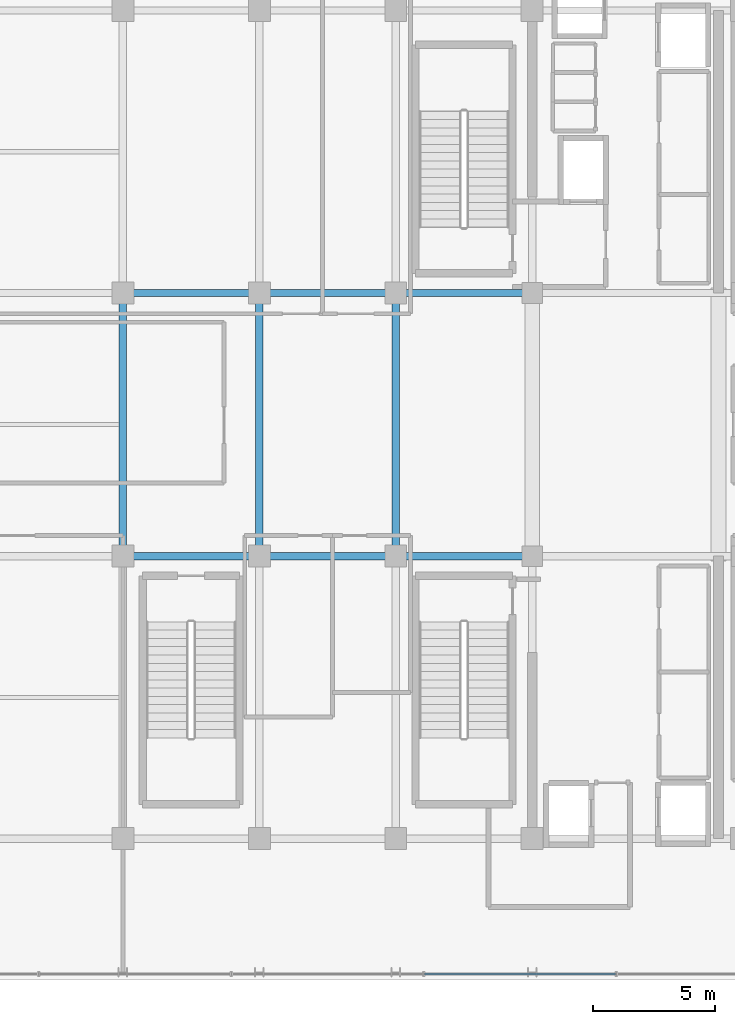
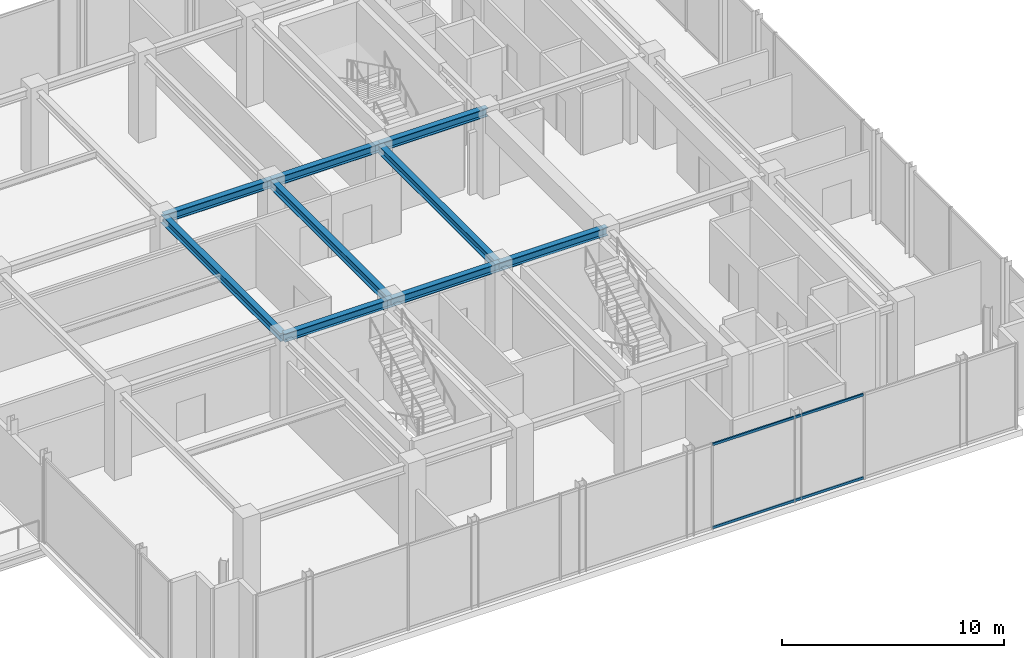
# One storey, part 10 of 28: 9 beams, 2 members, 1 element without a shape of its own.
"""IFC4 building model written with IfcOpenShell, lengths in metres."""

import ifcopenshell
import ifcopenshell.guid

model = None  # the IFC model being written
_history = None  # IfcOwnerHistory: only IFC2X3 demands one
_inside = {}  # id of a spatial element -> (the spatial element, [elements in it])
_under = {}  # id of a project, library or spatial element -> (it, [spatial elements below it])
_declared = {}  # id of a project -> (the project, [libraries it declares])
_typed = {}  # id of a type object -> (the type object, [elements of that type])
_made_of = {}  # id of a material, layer set ... -> (it, [elements and type objects made of it])


def new_model(schema):
    """Start an empty IFC model of exactly this schema.

    Asked for "IFC4X3", IfcOpenShell would pick the latest addendum, in which some entities
    have other attributes; the version numbers below select the first issue.
    IFC2X3 requires an IfcOwnerHistory on every rooted entity: one is made here for all.
    """
    global model, _history
    if schema == "IFC4X3":
        model = ifcopenshell.file(schema_version=(4, 3, 0, 0))
    else:
        model = ifcopenshell.file(schema=schema)
    _inside.clear()
    _under.clear()
    _declared.clear()
    _typed.clear()
    _made_of.clear()
    _history = None
    if model.schema == "IFC2X3":
        org = make("IfcOrganization", Name="unknown")
        user = make(
            "IfcPersonAndOrganization",
            ThePerson=make("IfcPerson", FamilyName="unknown"),
            TheOrganization=org,
        )
        app = make(
            "IfcApplication",
            ApplicationDeveloper=org,
            Version="unknown",
            ApplicationFullName="unknown",
            ApplicationIdentifier="unknown",
        )
        _history = make(
            "IfcOwnerHistory",
            OwningUser=user,
            OwningApplication=app,
            ChangeAction="ADDED",
            CreationDate=0,
        )
    return model


def make(cls, **values):
    """One entity of the class cls with the attributes given. An attribute that is None is left unset."""
    return model.create_entity(
        cls, **{name: value for name, value in values.items() if value is not None}
    )


def rooted(cls, **values):
    """An entity with a GlobalId (a new one), such as an element, a storey or a relation."""
    return make(cls, GlobalId=ifcopenshell.guid.new(), OwnerHistory=_history, **values)


def si_unit(unit_type, name, prefix=None):
    """IfcSIUnit, for example si_unit("LENGTHUNIT", "METRE", prefix="MILLI")."""
    return make("IfcSIUnit", UnitType=unit_type, Prefix=prefix, Name=name)


def assignment(units):
    """IfcUnitAssignment: the units of a project."""
    return None if units is None else make("IfcUnitAssignment", Units=units)


def point(xyz):
    """IfcCartesianPoint."""
    return None if xyz is None else make("IfcCartesianPoint", Coordinates=xyz)


def direction(xyz):
    """IfcDirection."""
    return None if xyz is None else make("IfcDirection", DirectionRatios=xyz)


def frame(location, z_axis=None, x_axis=None):
    """IfcAxis2Placement3D, a coordinate frame: its origin and axes. An axis left out is left unset."""
    return make(
        "IfcAxis2Placement3D",
        Location=point(location),
        Axis=direction(z_axis),
        RefDirection=direction(x_axis),
    )


def frame_2d(location, x_axis=None):
    """IfcAxis2Placement2D, a coordinate frame in the plane: its origin and x axis."""
    return make(
        "IfcAxis2Placement2D", Location=point(location), RefDirection=direction(x_axis)
    )


def origin():
    """The frame at (0, 0, 0) with its axes left unset."""
    return frame((0.0, 0.0, 0.0))


def origin_2d():
    """The frame at (0, 0) in the plane with its x axis left unset."""
    return frame_2d((0.0, 0.0))


def place(relative_to, where):
    """IfcLocalPlacement: puts the frame where relative to a parent placement (None: the world)."""
    return make(
        "IfcLocalPlacement", PlacementRelTo=relative_to, RelativePlacement=where
    )


def context(
    kind, dimensions, precision=None, world=None, true_north=None, identifier=None
):
    """IfcGeometricRepresentationContext, for example the 3D "Model" context."""
    return make(
        "IfcGeometricRepresentationContext",
        ContextIdentifier=identifier,
        ContextType=kind,
        CoordinateSpaceDimension=dimensions,
        Precision=precision,
        WorldCoordinateSystem=world,
        TrueNorth=true_north,
    )


def subcontext(parent, identifier, kind, view, scale=None):
    """IfcGeometricRepresentationSubContext, for example "Body" below "Model"."""
    return make(
        "IfcGeometricRepresentationSubContext",
        ContextIdentifier=identifier,
        ContextType=kind,
        ParentContext=parent,
        TargetScale=scale,
        TargetView=view,
    )


def project(units=None, contexts=None):
    """IfcProject with its units and contexts."""
    return rooted(
        "IfcProject",
        Name="project",
        RepresentationContexts=contexts,
        UnitsInContext=assignment(units),
    )


def spatial(cls, under=None, at=None, **own):
    """A site, building, storey or space (cls), placed at a placement, below another one or the project."""
    s = rooted(cls, ObjectPlacement=at, **own)
    if under is not None:
        _under.setdefault(under.id(), (under, []))[1].append(s)
    return s


def profile(cls, at=None, kind="AREA", **sizes):
    """A parametric profile (cls). Its sizes go by their IFC names, for example OverallWidth=200.0."""
    return make(cls, ProfileType=kind, Position=at, **sizes)


def hollow_rectangle(**sizes):
    """IfcRectangleHollowProfileDef."""
    return profile("IfcRectangleHollowProfileDef", **sizes)


def i_section(**sizes):
    """IfcIShapeProfileDef."""
    return profile("IfcIShapeProfileDef", **sizes)


def extrude(swept, where, along, depth):
    """IfcExtrudedAreaSolid: the profile swept, set in the frame where, extruded along a direction by depth."""
    return make(
        "IfcExtrudedAreaSolid",
        SweptArea=swept,
        Position=where,
        ExtrudedDirection=direction(along),
        Depth=depth,
    )


def shape(context_of_items, identifier, shape_type, items):
    """IfcShapeRepresentation: the items that make up one representation, for example the "Body"."""
    return make(
        "IfcShapeRepresentation",
        ContextOfItems=context_of_items,
        RepresentationIdentifier=identifier,
        RepresentationType=shape_type,
        Items=items,
    )


def source(mapping_origin, context_of_items, identifier, shape_type, items):
    """IfcRepresentationMap: a shape defined once, which mapped items show again and again."""
    return make(
        "IfcRepresentationMap",
        MappingOrigin=mapping_origin,
        MappedRepresentation=shape(context_of_items, identifier, shape_type, items),
    )


def transform(
    local_origin,
    x_axis=None,
    y_axis=None,
    z_axis=None,
    scale=None,
    scale2=None,
    scale3=None,
    uniform=True,
):
    """IfcCartesianTransformationOperator3D, or its non-uniform kind. x_axis, y_axis, z_axis: its Axis1, 2, 3."""
    if uniform:
        return make(
            "IfcCartesianTransformationOperator3D",
            Axis1=direction(x_axis),
            Axis2=direction(y_axis),
            LocalOrigin=point(local_origin),
            Scale=scale,
            Axis3=direction(z_axis),
        )
    return make(
        "IfcCartesianTransformationOperator3DnonUniform",
        Axis1=direction(x_axis),
        Axis2=direction(y_axis),
        LocalOrigin=point(local_origin),
        Scale=scale,
        Axis3=direction(z_axis),
        Scale2=scale2,
        Scale3=scale3,
    )


def mapped(mapping_source, mapping_target):
    """IfcMappedItem: shows the shape of a source again, moved by a transform."""
    return make(
        "IfcMappedItem", MappingSource=mapping_source, MappingTarget=mapping_target
    )


def material(Name=None, Category=None):
    """IfcMaterial."""
    return make("IfcMaterial", Name=Name, Category=Category)


def material_profile(
    of_material, cross_section, Name=None, Category=None, Priority=None
):
    """IfcMaterialProfile: a cross section and its material."""
    return make(
        "IfcMaterialProfile",
        Name=Name,
        Material=of_material,
        Profile=cross_section,
        Priority=Priority,
        Category=Category,
    )


def profile_set(profiles, Name=None, composite=None):
    """IfcMaterialProfileSet."""
    return make(
        "IfcMaterialProfileSet",
        Name=Name,
        MaterialProfiles=profiles,
        CompositeProfile=composite,
    )


def made_of(thing, what):
    """Note that an element or type object is made of a material, layer set ...; save() writes the relation."""
    if what is not None:
        _made_of.setdefault(what.id(), (what, []))[1].append(thing)
    return thing


def type_object(cls, material=None, **own):
    """A type object (cls), such as IfcWallType, which elements share."""
    return made_of(rooted(cls, **own), material)


def element(
    cls,
    number,
    at=None,
    inside=None,
    cuts=None,
    type_object=None,
    material=None,
    context=None,
    identifier="Body",
    shape_type=None,
    held_by="IfcProductDefinitionShape",
    body=None,
    shapes=None,
    **own,
):
    """One element of the class cls, such as IfcWall. Its Tag is "e" and its number.

    at: its placement. inside: the storey or other place that contains it. cuts: it is an
    opening in that element (IfcRelVoidsElement). A single representation is given by context,
    identifier, shape_type and body (its items); several are given by shapes. held_by: the class
    of the entity that holds the representations. save() writes the other relations.
    """
    e = rooted(cls, Tag="e%d" % number, ObjectPlacement=at, **own)
    if body is not None:
        shapes = [shape(context, identifier, shape_type, body)]
    if shapes is not None:
        e.Representation = make(held_by, Representations=shapes)
    if inside is not None:
        _inside.setdefault(inside.id(), (inside, []))[1].append(e)
    if cuts is not None:
        rooted(
            "IfcRelVoidsElement", RelatingBuildingElement=cuts, RelatedOpeningElement=e
        )
    if type_object is not None:
        _typed.setdefault(type_object.id(), (type_object, []))[1].append(e)
    return made_of(e, material)


def aggregate(whole, parts):
    """IfcRelAggregates: a whole, such as a stair, and the parts it consists of."""
    return rooted("IfcRelAggregates", RelatingObject=whole, RelatedObjects=parts)


def save(model, path):
    """Write the relations noted so far, then the file.

    IfcRelAggregates (storeys below a building ...), IfcRelContainedInSpatialStructure (elements
    in a storey), IfcRelDefinesByType, IfcRelAssociatesMaterial and IfcRelDeclares: one each for
    every whole, place, type object, material and project.
    """
    for whole, parts in _under.values():
        aggregate(whole, parts)
    for where, things in _inside.values():
        rooted(
            "IfcRelContainedInSpatialStructure",
            RelatedElements=things,
            RelatingStructure=where,
        )
    for kind, things in _typed.values():
        rooted("IfcRelDefinesByType", RelatedObjects=things, RelatingType=kind)
    for what, things in _made_of.values():
        rooted("IfcRelAssociatesMaterial", RelatedObjects=things, RelatingMaterial=what)
    for by, libraries in _declared.values():
        rooted("IfcRelDeclares", RelatingContext=by, RelatedDefinitions=libraries)
    model.write(path)


model = new_model("IFC4")

# Units and contexts
model_context = context("Model", 3, precision=1e-05, world=origin(), true_north=direction((0.0, 1.0)))
body_context = subcontext(model_context, "Body", "Model", "MODEL_VIEW")
ifc_project = project(units=[si_unit("LENGTHUNIT", "METRE"), si_unit("AREAUNIT", "SQUARE_METRE"), si_unit("VOLUMEUNIT", "CUBIC_METRE"), si_unit("PLANEANGLEUNIT", "RADIAN"), si_unit("MASSUNIT", "GRAM", prefix="KILO")], contexts=[model_context])

# Site, building, storey
site_placement = place(None, origin())
site = spatial("IfcSite", under=ifc_project, at=site_placement, CompositionType="ELEMENT")
building_placement = place(site_placement, origin())
building = spatial("IfcBuilding", under=site, at=building_placement, Name="Nahalor Promenade Grand Hotel", CompositionType="ELEMENT")
storey_placement = place(building_placement, frame((0.0, 0.0, 352.050048828125)))
storey = spatial("IfcBuildingStorey", under=building, at=storey_placement, Name="L90", CompositionType="ELEMENT", Elevation=352.050048828125)

# Beams
ifc_material_1 = material(Name="Steel S355JR", Category="steel")
ifc_material_profile_1 = material_profile(ifc_material_1, i_section(OverallWidth=0.3, OverallDepth=0.45, WebThickness=0.014, FlangeThickness=0.026, at=origin_2d()), Name="HEB 450")
ifc_profile_set_1 = profile_set([ifc_material_profile_1], Name="Steel S355JR")
beam_type = type_object("IfcBeamType", Name="Beam-Girder-HEB450", PredefinedType="BEAM", material=ifc_profile_set_1)
shared_shape_1 = source(origin(), body_context, "Body", "SweptSolid", [
    extrude(i_section(OverallWidth=0.3, OverallDepth=0.45, WebThickness=0.014, FlangeThickness=0.026, at=origin_2d()), origin(), (0.0, 0.0, 1.0), 5.599853515625),
])
for number, where, z_axis, x_axis, name in (
    (1, (-8.39990234375, -5.39990234375, 4.474853515625), (1.0, 0.0, 0.0), (0.0, 1.0, 0.0), "BM-L90-GX-1-1"),
    (2, (2.800048828125, -5.39990234375, 4.474853515625), (1.0, 0.0, 0.0), (0.0, 1.0, 0.0), "BM-L90-GX-1-3"),
    (3, (-8.39990234375, 5.39990234375, 4.474853515625), (1.0, 0.0, 0.0), (0.0, 1.0, 0.0), "BM-L90-GX-2-1"),
    (4, (2.800048828125, 5.39990234375, 4.474853515625), (1.0, 0.0, 0.0), (0.0, 1.0, 0.0), "BM-L90-GX-2-3"),
):
    element("IfcBeam", number, at=place(storey_placement, frame(where, z_axis=z_axis, x_axis=x_axis)), inside=storey, type_object=beam_type, Name=name, PredefinedType="BEAM", context=body_context, shape_type="MappedRepresentation", body=[
        mapped(shared_shape_1, transform((0.0, 0.0, 0.0), scale=1.0)),
    ])
shared_shape_2 = source(origin(), body_context, "Body", "SweptSolid", [
    extrude(i_section(OverallWidth=0.3, OverallDepth=0.45, WebThickness=0.014, FlangeThickness=0.026, at=origin_2d()), origin(), (0.0, 0.0, 1.0), 5.60009765625),
])
for number, where, z_axis, x_axis, name in (
    (5, (-2.800048828125, -5.39990234375, 4.474853515625), (1.0, 0.0, 0.0), (0.0, 1.0, 0.0), "BM-L90-GX-1-2"),
    (6, (-2.800048828125, 5.39990234375, 4.474853515625), (1.0, 0.0, 0.0), (0.0, 1.0, 0.0), "BM-L90-GX-2-2"),
):
    element("IfcBeam", number, at=place(storey_placement, frame(where, z_axis=z_axis, x_axis=x_axis)), inside=storey, type_object=beam_type, Name=name, PredefinedType="BEAM", context=body_context, shape_type="MappedRepresentation", body=[
        mapped(shared_shape_2, transform((0.0, 0.0, 0.0), scale=1.0)),
    ])
shared_shape_3 = source(origin(), body_context, "Body", "SweptSolid", [
    extrude(i_section(OverallWidth=0.3, OverallDepth=0.45, WebThickness=0.014, FlangeThickness=0.026, at=origin_2d()), origin(), (0.0, 0.0, 1.0), 10.7998046875),
])
for number, where, z_axis, x_axis, name in (
    (7, (-8.39990234375, -5.39990234375, 4.474853515625), (0.0, 1.0, 0.0), (-1.0, 0.0, 0.0), "BM-L90-GY-1-1"),
    (8, (-2.800048828125, -5.39990234375, 4.474853515625), (0.0, 1.0, 0.0), (-1.0, 0.0, 0.0), "BM-L90-GY-2-1"),
    (9, (2.800048828125, -5.39990234375, 4.474853515625), (0.0, 1.0, 0.0), (-1.0, 0.0, 0.0), "BM-L90-GY-3-1"),
):
    element("IfcBeam", number, at=place(storey_placement, frame(where, z_axis=z_axis, x_axis=x_axis)), inside=storey, type_object=beam_type, Name=name, PredefinedType="BEAM", context=body_context, shape_type="MappedRepresentation", body=[
        mapped(shared_shape_3, transform((0.0, 0.0, 0.0), scale=1.0)),
    ])

# Curtain wall, members
ifc_material_2 = material(Name="Anodised Bronze Aluminium EN AW-6063 T6", Category="aluminium")
curtain_wall_type = type_object("IfcCurtainWallType", Name="CW6 Crown Botanical Conservatory Curtain Wall", PredefinedType="USERDEFINED", material=ifc_material_2)
curtain_wall_placement = place(storey_placement, origin())
curtain_wall = element("IfcCurtainWall", 10, at=curtain_wall_placement, inside=storey, type_object=curtain_wall_type, Name="L90 Curtain Wall CW-L90-S-1", ObjectType="UNITISED_CURTAIN_WALL", PredefinedType="USERDEFINED")
ifc_material_profile_2 = material_profile(ifc_material_2, hollow_rectangle(XDim=0.075, YDim=0.135, WallThickness=0.004, at=origin_2d()), Name="CWT 75x135x4")
ifc_profile_set_2 = profile_set([ifc_material_profile_2], Name="Anodised Bronze Aluminium EN AW-6063 T6")
member_type = type_object("IfcMemberType", Name="CWT6 Conservatory Transom 75x135", PredefinedType="USERDEFINED", material=ifc_profile_set_2)
shared_shape_4 = source(origin(), body_context, "Body", "SweptSolid", [
    extrude(hollow_rectangle(XDim=0.075, YDim=0.135, WallThickness=0.004, at=origin_2d()), origin(), (0.0, 0.0, 1.0), 7.8291015625),
])
member_1_placement = place(storey_placement, frame((3.989501953125, -22.56005859375, 0.0673828125), z_axis=(1.0, 0.0, 0.0), x_axis=(0.0, 1.0, 0.0)))
member_1 = element("IfcMember", 11, at=member_1_placement, type_object=member_type, Name="CW-L90-S-1 Transom 3-0", ObjectType="TRANSOM", PredefinedType="USERDEFINED", context=body_context, shape_type="MappedRepresentation", body=[
    mapped(shared_shape_4, transform((0.0, 0.0, 0.0), scale=1.0)),
])
member_2_placement = place(storey_placement, frame((3.989501953125, -22.56005859375, 4.632568359375), z_axis=(1.0, 0.0, 0.0), x_axis=(0.0, 1.0, 0.0)))
member_2 = element("IfcMember", 12, at=member_2_placement, type_object=member_type, Name="CW-L90-S-1 Transom 3-1", ObjectType="TRANSOM", PredefinedType="USERDEFINED", context=body_context, shape_type="MappedRepresentation", body=[
    mapped(shared_shape_4, transform((0.0, 0.0, 0.0), scale=1.0)),
])
aggregate(curtain_wall, [member_1, member_2])

save(model, "model.ifc")
